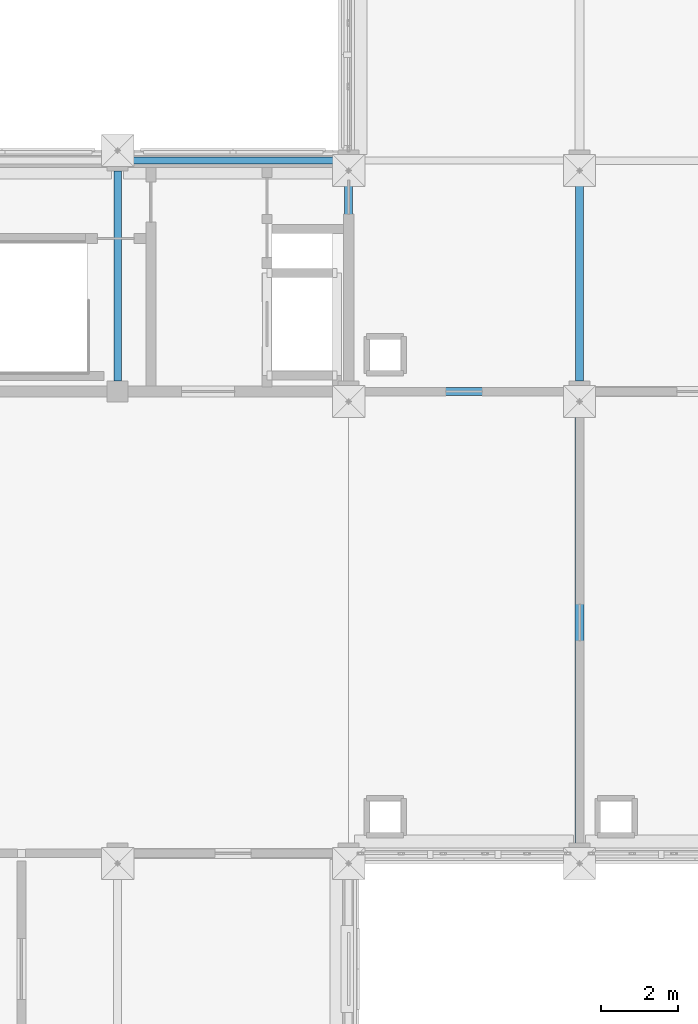
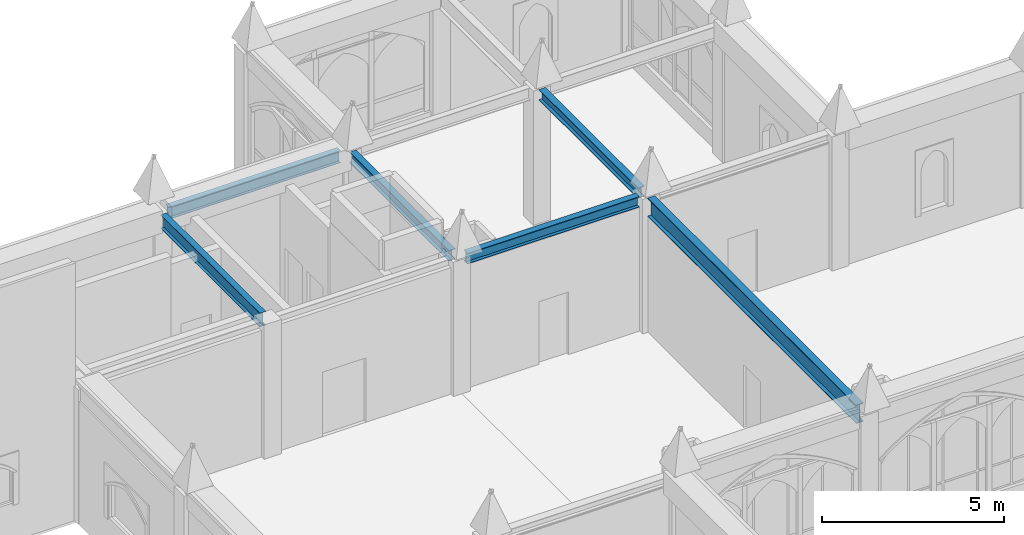
# One storey, part 48 of 108: 6 beams.
"""IFC4 building model written with IfcOpenShell, lengths in metres."""

from ifc_helpers import new_model, si_unit, direction, frame, origin, origin_2d, place, context, subcontext, project, spatial, i_section, extrude, material, material_profile, profile_set, type_object, element, save


model = new_model("IFC4")

# Units and contexts
model_context = context("Model", 3, precision=1e-05, world=origin(), true_north=direction((0.0, 1.0)))
body_context = subcontext(model_context, "Body", "Model", "MODEL_VIEW")
ifc_project = project(units=[si_unit("LENGTHUNIT", "METRE"), si_unit("AREAUNIT", "SQUARE_METRE"), si_unit("VOLUMEUNIT", "CUBIC_METRE"), si_unit("PLANEANGLEUNIT", "RADIAN"), si_unit("MASSUNIT", "GRAM", prefix="KILO")], contexts=[model_context])

# Site, building, storey
site_placement = place(None, origin())
site = spatial("IfcSite", under=ifc_project, at=site_placement, CompositionType="ELEMENT")
building_placement = place(site_placement, origin())
building = spatial("IfcBuilding", under=site, at=building_placement, Name="Cumevento Cable Car Station", CompositionType="ELEMENT")
storey_placement = place(building_placement, frame((0.0, 0.0, 13.5)))
storey = spatial("IfcBuildingStorey", under=building, at=storey_placement, Name="L04", CompositionType="ELEMENT", Elevation=13.5)

# Beams
ifc_material_1 = material(Name="Steel ASTM A572 Grade 50", Category="steel")
ifc_material_profile_1 = material_profile(ifc_material_1, i_section(OverallWidth=0.22998046875, OverallDepth=0.616943359375, WebThickness=0.01318359375, FlangeThickness=0.022216796875, at=origin_2d()), Name="W610x140.0")
ifc_profile_set_1 = profile_set([ifc_material_profile_1], Name="Steel ASTM A572 Grade 50")
beam_type_1 = type_object("IfcBeamType", Name="Structural Beam BM-01 W610x140.0", PredefinedType="BEAM", material=ifc_profile_set_1)
beam_1_placement = place(storey_placement, frame((136.0, 33.27490234375, 4.19140625), z_axis=(0.0, 1.0, 0.0), x_axis=(-1.0, 0.0, 0.0)))
element("IfcBeam", 1, at=beam_1_placement, inside=storey, type_object=beam_type_1, Name="Beam BM-01 L04 #1469", PredefinedType="BEAM", context=body_context, shape_type="SweptSolid", body=[
    extrude(i_section(OverallWidth=0.22998046875, OverallDepth=0.616943359375, WebThickness=0.01318359375, FlangeThickness=0.022216796875, at=origin_2d()), origin(), (0.0, 0.0, 1.0), 11.4501953125),
])
ifc_material_2 = material(Name="Steel ASTM A572 Grade 50", Category="steel")
ifc_material_profile_2 = material_profile(ifc_material_2, i_section(OverallWidth=0.18994140625, OverallDepth=0.45703125, WebThickness=0.009033203125, FlangeThickness=0.014404296875, at=origin_2d()), Name="W460x74.0")
ifc_profile_set_2 = profile_set([ifc_material_profile_2], Name="Steel ASTM A572 Grade 50")
beam_type_2 = type_object("IfcBeamType", Name="Structural Beam BM-04 W460x74.0", PredefinedType="BEAM", material=ifc_profile_set_2)
beam_2_placement = place(storey_placement, frame((124.0, 45.27490234375, 4.271484375), z_axis=(0.0, 1.0, 0.0), x_axis=(-1.0, 0.0, 0.0)))
element("IfcBeam", 2, at=beam_2_placement, inside=storey, type_object=beam_type_2, Name="Beam BM-04 L04 #1484", PredefinedType="BEAM", context=body_context, shape_type="SweptSolid", body=[
    extrude(i_section(OverallWidth=0.18994140625, OverallDepth=0.45703125, WebThickness=0.009033203125, FlangeThickness=0.014404296875, at=origin_2d()), origin(), (0.0, 0.0, 1.0), 5.4501953125),
])
ifc_material_3 = material(Name="Steel ASTM A572 Grade 50", Category="steel")
ifc_material_profile_3 = material_profile(ifc_material_3, i_section(OverallWidth=0.205078125, OverallDepth=0.35400390625, WebThickness=0.009521484375, FlangeThickness=0.016845703125, at=origin_2d()), Name="W360x79.0")
ifc_profile_set_3 = profile_set([ifc_material_profile_3], Name="Steel ASTM A572 Grade 50")
beam_type_3 = type_object("IfcBeamType", Name="Structural Beam BM-05 W360x79.0", PredefinedType="BEAM", material=ifc_profile_set_3)
for number, where, z_axis, x_axis, name in (
    (3, (130.27490234375, 45.0, 4.322998046875), (1.0, 0.0, 0.0), (0.0, 1.0, 0.0), "Beam BM-05 L04 #1466"),
    (4, (130.0, 45.27490234375, 4.322998046875), (0.0, 1.0, 0.0), (-1.0, 0.0, 0.0), "Beam BM-05 L04 #1485"),
    (5, (136.0, 45.27490234375, 4.322998046875), (0.0, 1.0, 0.0), (-1.0, 0.0, 0.0), "Beam BM-05 L04 #1491"),
):
    element("IfcBeam", number, at=place(storey_placement, frame(where, z_axis=z_axis, x_axis=x_axis)), inside=storey, type_object=beam_type_3, Name=name, PredefinedType="BEAM", context=body_context, shape_type="SweptSolid", body=[
        extrude(i_section(OverallWidth=0.205078125, OverallDepth=0.35400390625, WebThickness=0.009521484375, FlangeThickness=0.016845703125, at=origin_2d()), origin(), (0.0, 0.0, 1.0), 5.4501953125),
    ])
ifc_material_4 = material(Name="Steel ASTM A572 Grade 50", Category="steel")
ifc_material_profile_4 = material_profile(ifc_material_4, i_section(OverallWidth=0.177978515625, OverallDepth=0.406982421875, WebThickness=0.0078125, FlangeThickness=0.0126953125, at=origin_2d()), Name="W410x60.0")
ifc_profile_set_4 = profile_set([ifc_material_profile_4], Name="Steel ASTM A572 Grade 50")
beam_type_4 = type_object("IfcBeamType", Name="Structural Spandrel SP-01 W410x60.0", PredefinedType="SPANDREL", material=ifc_profile_set_4)
beam_3_placement = place(storey_placement, frame((124.27490234375, 51.0, 4.29638671875), z_axis=(1.0, 0.0, 0.0), x_axis=(0.0, 1.0, 0.0)))
element("IfcBeam", 6, at=beam_3_placement, inside=storey, type_object=beam_type_4, Name="Beam SP-01 L04 #1483", PredefinedType="SPANDREL", context=body_context, shape_type="SweptSolid", body=[
    extrude(i_section(OverallWidth=0.177978515625, OverallDepth=0.406982421875, WebThickness=0.0078125, FlangeThickness=0.0126953125, at=origin_2d()), origin(), (0.0, 0.0, 1.0), 5.4501953125),
])

save(model, "model.ifc")
